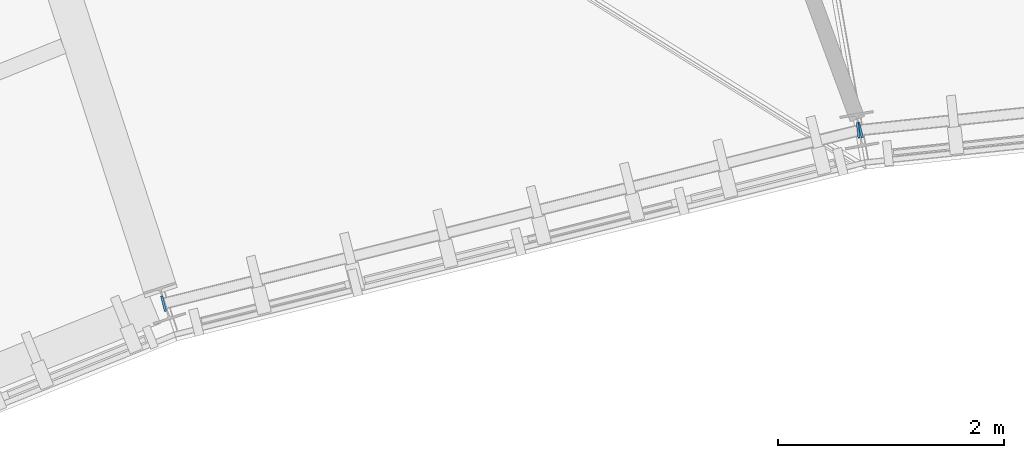
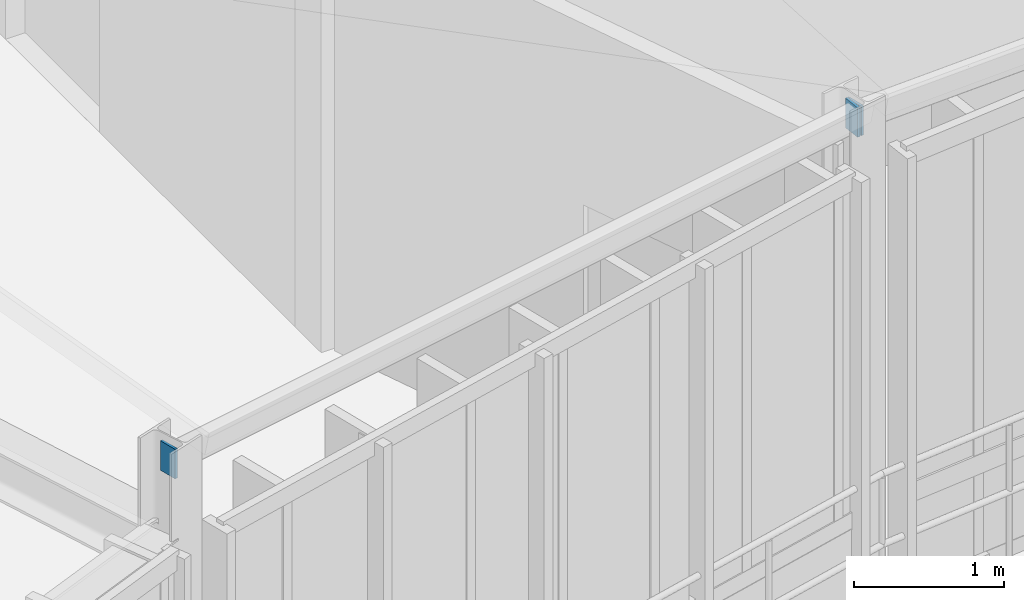
# One storey, part 25 of 42: 3 plates.
"""IFC4 building model written with IfcOpenShell, lengths in metres."""

from ifc_helpers import new_model, si_unit, direction, frame, origin, origin_2d, place, context, subcontext, project, spatial, rectangle, extrude, material, layer, layer_set, type_object, element, save


model = new_model("IFC4")

# Units and contexts
model_context = context("Model", 3, precision=1e-05, world=origin(), true_north=direction((0.0, 1.0)))
body_context = subcontext(model_context, "Body", "Model", "MODEL_VIEW")
ifc_project = project(units=[si_unit("LENGTHUNIT", "METRE"), si_unit("AREAUNIT", "SQUARE_METRE"), si_unit("VOLUMEUNIT", "CUBIC_METRE"), si_unit("PLANEANGLEUNIT", "RADIAN"), si_unit("MASSUNIT", "GRAM", prefix="KILO"), si_unit("THERMODYNAMICTEMPERATUREUNIT", "KELVIN"), si_unit("POWERUNIT", "WATT")], contexts=[model_context])

# Site, building, storey
site_placement = place(None, origin())
site = spatial("IfcSite", under=ifc_project, at=site_placement, CompositionType="ELEMENT")
building_placement = place(site_placement, origin())
building = spatial("IfcBuilding", under=site, at=building_placement, Name="Solvatero Civic Police Headquarters", CompositionType="ELEMENT")
storey_placement = place(building_placement, frame((0.0, 0.0, 21.60009765625)))
storey = spatial("IfcBuildingStorey", under=building, at=storey_placement, Name="L05", CompositionType="ELEMENT", Elevation=21.60009765625)

# Plates
ifc_material = material(Name="Steel S355", Category="steel")
ifc_layer = layer(ifc_material, 0.02001953125)
ifc_layer_set = layer_set([ifc_layer], Name="Steel S355")
plate_type = type_object("IfcPlateType", Name="PLT-CAP-20", PredefinedType="SHEET", material=ifc_layer_set)
for number, where, z_axis, x_axis, name in (
    (1, (86.115234375, 70.659912109375, 3.75), (0.0, 0.0, 1.0), (-0.994520070851, -0.104545820933, 0.0), "Hollow Section End Cap Plate 0188"),
    (2, (86.134765625, 70.663330078125, 3.75), (0.0, 0.0, 1.0), (-0.970295726276, -0.2419218956, 0.0), "Hollow Section End Cap Plate 0191"),
    (3, (79.976318359375, 69.1279296875, 4.0498046875), (0.0, 0.0, 1.0), (-0.970295726276, -0.2419218956, 0.0), "Hollow Section End Cap Plate 0192"),
):
    element("IfcPlate", number, at=place(storey_placement, frame(where, z_axis=z_axis, x_axis=x_axis)), inside=storey, type_object=plate_type, Name=name, PredefinedType="SHEET", context=body_context, shape_type="SweptSolid", body=[
        extrude(rectangle(XDim=0.02001953125, YDim=0.139892578125, at=origin_2d()), origin(), (0.0, 0.0, 1.0), 0.239990234375),
    ])

save(model, "model.ifc")
